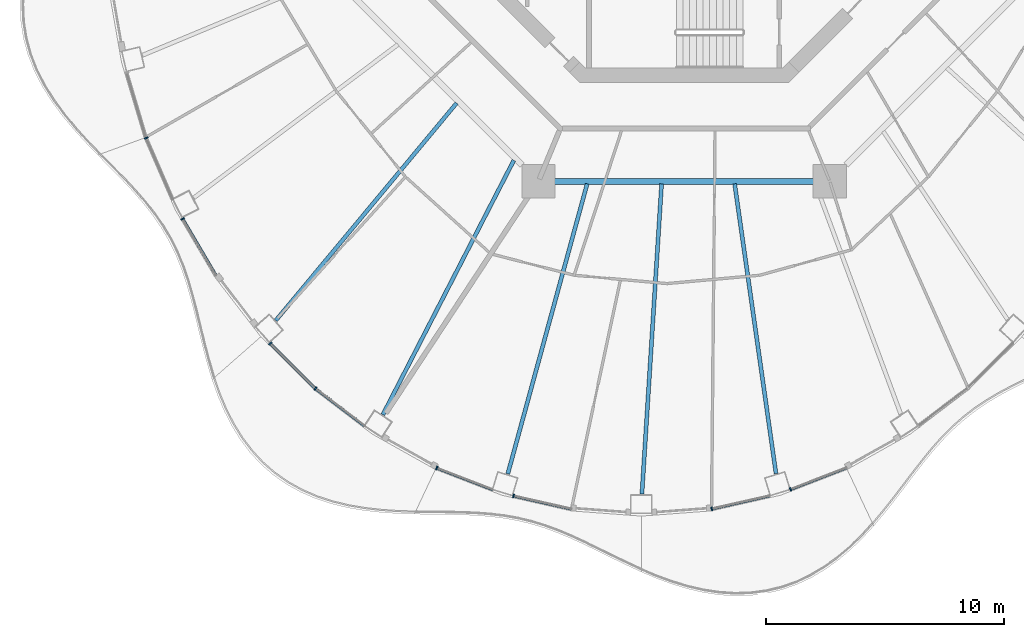
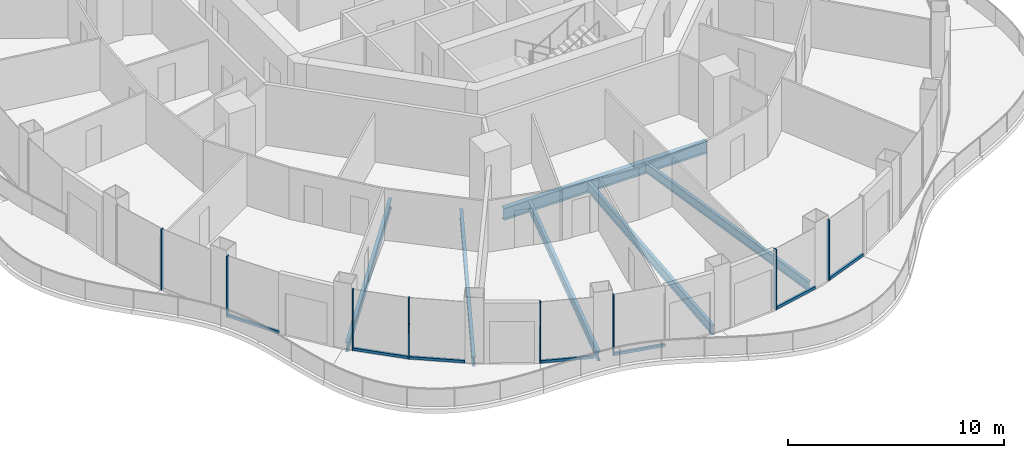
# One storey, part 2 of 17: 15 members, 6 beams, 8 elements without a shape of their own.
"""IFC4 building model written with IfcOpenShell, lengths in metres."""

from ifc_helpers import new_model, si_unit, direction, frame, origin, origin_2d, place, context, subcontext, project, spatial, rectangle, i_section, extrude, material, layer, layer_set, material_profile, profile_set, type_object, element, aggregate, save


model = new_model("IFC4")

# Units and contexts
model_context = context("Model", 3, precision=1e-05, world=origin(), true_north=direction((0.0, 1.0)))
body_context = subcontext(model_context, "Body", "Model", "MODEL_VIEW")
ifc_project = project(units=[si_unit("LENGTHUNIT", "METRE"), si_unit("AREAUNIT", "SQUARE_METRE"), si_unit("VOLUMEUNIT", "CUBIC_METRE"), si_unit("PLANEANGLEUNIT", "RADIAN"), si_unit("MASSUNIT", "GRAM", prefix="KILO")], contexts=[model_context])

# Site, building, storey
site_placement = place(None, origin())
site = spatial("IfcSite", under=ifc_project, at=site_placement, CompositionType="ELEMENT")
building_placement = place(site_placement, origin())
building = spatial("IfcBuilding", under=site, at=building_placement, Name="Nagisa Residences", CompositionType="ELEMENT")
storey_placement = place(building_placement, frame((0.0, 0.0, 258.5)))
storey = spatial("IfcBuildingStorey", under=building, at=storey_placement, Name="L65", CompositionType="ELEMENT", Elevation=258.5)

# Curtain wall, member
ifc_material_1 = material(Name="Concrete-coloured aluminium curtain wall system", Category="concrete")
ifc_layer = layer(ifc_material_1, 0.159912109375)
ifc_layer_set = layer_set([ifc_layer], Name="CW1 CURTAIN WALL")
curtain_wall_type = type_object("IfcCurtainWallType", Name="CW1 CURTAIN WALL", PredefinedType="NOTDEFINED", material=ifc_layer_set)
curtain_wall_1_placement = place(storey_placement, origin())
curtain_wall_1 = element("IfcCurtainWall", 1, at=curtain_wall_1_placement, inside=storey, type_object=curtain_wall_type, Name="cw:CW1:L65:27", PredefinedType="NOTDEFINED")
ifc_material_2 = material(Name="Concrete-coloured aluminium", Category="concrete")
ifc_material_profile_1 = material_profile(ifc_material_2, rectangle(XDim=0.159912109375, YDim=0.06005859375, at=origin_2d()), Name="CW1 MULLION 160x60")
ifc_profile_set_1 = profile_set([ifc_material_profile_1], Name="Concrete-coloured aluminium")
member_type_1 = type_object("IfcMemberType", Name="CW1 MULLION 160x60", PredefinedType="MULLION", material=ifc_profile_set_1)
member_1_placement = place(storey_placement, frame((-22.61279296875, -12.963623046875, 0.0), z_axis=(0.0, 0.0, 1.0), x_axis=(0.917543276295, 0.397635934147, 0.0)))
member_1 = element("IfcMember", 2, at=member_1_placement, type_object=member_type_1, Name="CW1 mullion", PredefinedType="MULLION", context=body_context, shape_type="SweptSolid", body=[
    extrude(rectangle(XDim=0.159912109375, YDim=0.06005859375, at=origin_2d()), origin(), (0.0, 0.0, 1.0), 3.43994140625),
])
aggregate(curtain_wall_1, [member_1])

curtain_wall_2_placement = place(storey_placement, origin())
curtain_wall_2 = element("IfcCurtainWall", 3, at=curtain_wall_2_placement, inside=storey, type_object=curtain_wall_type, Name="cw:CW1:L65:28", PredefinedType="NOTDEFINED")
member_2_placement = place(storey_placement, frame((-21.077392578125, -16.361083984375, 0.0), z_axis=(0.0, 0.0, 1.0), x_axis=(0.862328898214, 0.506348567002, 0.0)))
member_2 = element("IfcMember", 4, at=member_2_placement, type_object=member_type_1, Name="CW1 mullion", PredefinedType="MULLION", context=body_context, shape_type="SweptSolid", body=[
    extrude(rectangle(XDim=0.159912109375, YDim=0.06005859375, at=origin_2d()), origin(), (0.0, 0.0, 1.0), 3.43994140625),
])

curtain_wall_3_placement = place(storey_placement, origin())
curtain_wall_3 = element("IfcCurtainWall", 5, at=curtain_wall_3_placement, inside=storey, type_object=curtain_wall_type, Name="cw:CW1:L65:30", PredefinedType="NOTDEFINED")
member_3_placement = place(storey_placement, frame((-17.3984375, -21.60107421875, 0.0), z_axis=(0.0, 0.0, 1.0), x_axis=(0.706376885714, 0.707835924016, 0.0)))
member_3 = element("IfcMember", 6, at=member_3_placement, type_object=member_type_1, Name="CW1 mullion", PredefinedType="MULLION", context=body_context, shape_type="SweptSolid", body=[
    extrude(rectangle(XDim=0.159912109375, YDim=0.06005859375, at=origin_2d()), origin(), (0.0, 0.0, 1.0), 3.43994140625),
])

curtain_wall_4_placement = place(storey_placement, origin())
curtain_wall_4 = element("IfcCurtainWall", 7, at=curtain_wall_4_placement, inside=storey, type_object=curtain_wall_type, Name="cw:CW1:L65:31", PredefinedType="NOTDEFINED")
member_4_placement = place(storey_placement, frame((-15.497802734375, -23.4931640625, 0.0), z_axis=(0.0, 0.0, 1.0), x_axis=(0.605255421737, 0.79603132756, 0.0)))
member_4 = element("IfcMember", 8, at=member_4_placement, type_object=member_type_1, Name="CW1 mullion", PredefinedType="MULLION", context=body_context, shape_type="SweptSolid", body=[
    extrude(rectangle(XDim=0.159912109375, YDim=0.06005859375, at=origin_2d()), origin(), (0.0, 0.0, 1.0), 3.43994140625),
])

curtain_wall_5_placement = place(storey_placement, origin())
curtain_wall_5 = element("IfcCurtainWall", 9, at=curtain_wall_5_placement, inside=storey, type_object=curtain_wall_type, Name="cw:CW1:L65:33", PredefinedType="NOTDEFINED")
member_5_placement = place(storey_placement, frame((-10.3994140625, -26.83447265625, 0.0), z_axis=(0.0, 0.0, 1.0), x_axis=(0.360327770268, 0.932825759707, 0.0)))
member_5 = element("IfcMember", 10, at=member_5_placement, type_object=member_type_1, Name="CW1 mullion", PredefinedType="MULLION", context=body_context, shape_type="SweptSolid", body=[
    extrude(rectangle(XDim=0.159912109375, YDim=0.06005859375, at=origin_2d()), origin(), (0.0, 0.0, 1.0), 3.43994140625),
])

curtain_wall_6_placement = place(storey_placement, origin())
curtain_wall_6 = element("IfcCurtainWall", 11, at=curtain_wall_6_placement, inside=storey, type_object=curtain_wall_type, Name="cw:CW1:L65:34", PredefinedType="NOTDEFINED")
member_6_placement = place(storey_placement, frame((-7.168701171875, -28.008544921875, 0.0), z_axis=(0.0, 0.0, 1.0), x_axis=(0.2207639201, 0.975327274089, 0.0)))
member_6 = element("IfcMember", 12, at=member_6_placement, type_object=member_type_1, Name="CW1 mullion", PredefinedType="MULLION", context=body_context, shape_type="SweptSolid", body=[
    extrude(rectangle(XDim=0.159912109375, YDim=0.06005859375, at=origin_2d()), origin(), (0.0, 0.0, 1.0), 3.43994140625),
])

curtain_wall_7_placement = place(storey_placement, origin())
curtain_wall_7 = element("IfcCurtainWall", 13, at=curtain_wall_7_placement, inside=storey, type_object=curtain_wall_type, Name="cw:CW1:L65:37", PredefinedType="NOTDEFINED")
member_7_placement = place(storey_placement, frame((1.1640625, -28.552734375, 0.0), z_axis=(0.0, 0.0, 1.0), x_axis=(-0.2207639201, 0.975327274089, 0.0)))
member_7 = element("IfcMember", 14, at=member_7_placement, type_object=member_type_1, Name="CW1 mullion", PredefinedType="MULLION", context=body_context, shape_type="SweptSolid", body=[
    extrude(rectangle(XDim=0.159912109375, YDim=0.06005859375, at=origin_2d()), origin(), (0.0, 0.0, 1.0), 3.43994140625),
])

curtain_wall_8_placement = place(storey_placement, origin())
curtain_wall_8 = element("IfcCurtainWall", 15, at=curtain_wall_8_placement, inside=storey, type_object=curtain_wall_type, Name="cw:CW1:L65:38", PredefinedType="NOTDEFINED")
member_8_placement = place(storey_placement, frame((4.473388671875, -27.733154296875, 0.0), z_axis=(0.0, 0.0, 1.0), x_axis=(-0.360327770268, 0.932825759707, 0.0)))
member_8 = element("IfcMember", 16, at=member_8_placement, type_object=member_type_1, Name="CW1 mullion", PredefinedType="MULLION", context=body_context, shape_type="SweptSolid", body=[
    extrude(rectangle(XDim=0.159912109375, YDim=0.06005859375, at=origin_2d()), origin(), (0.0, 0.0, 1.0), 3.43994140625),
])

# Member
ifc_material_3 = material(Name="Concrete-coloured aluminium", Category="concrete")
ifc_material_profile_2 = material_profile(ifc_material_3, rectangle(XDim=0.1201171875, YDim=0.14990234375, at=origin_2d()), Name="CW1 TRANSOM 120x150")
ifc_profile_set_2 = profile_set([ifc_material_profile_2], Name="Concrete-coloured aluminium")
member_type_2 = type_object("IfcMemberType", Name="CW1 TRANSOM 120x150", PredefinedType="USERDEFINED", material=ifc_profile_set_2)
member_9_placement = place(storey_placement, frame((-21.0927734375, -16.335205078125, 0.074951171875), z_axis=(0.506371364425, -0.862315511452, 0.0), x_axis=(0.862315511452, 0.506371364425, 0.0)))
member_9 = element("IfcMember", 17, at=member_9_placement, type_object=member_type_2, Name="CW1 transom", ObjectType="TRANSOM", PredefinedType="USERDEFINED", context=body_context, shape_type="SweptSolid", body=[
    extrude(rectangle(XDim=0.1201171875, YDim=0.14990234375, at=origin_2d()), origin(), (0.0, 0.0, 1.0), 2.79638671875),
])

aggregate(curtain_wall_2, [member_2, member_9])

member_10_placement = place(storey_placement, frame((-17.419677734375, -21.579833984375, 0.074951171875), z_axis=(0.707831739508, -0.706381078841, 0.0), x_axis=(0.706381078841, 0.707831739508, 0.0)))
member_10 = element("IfcMember", 18, at=member_10_placement, type_object=member_type_2, Name="CW1 transom", ObjectType="TRANSOM", PredefinedType="USERDEFINED", context=body_context, shape_type="SweptSolid", body=[
    extrude(rectangle(XDim=0.1201171875, YDim=0.14990234375, at=origin_2d()), origin(), (0.0, 0.0, 1.0), 2.692626953125),
])

aggregate(curtain_wall_3, [member_3, member_10])

member_11_placement = place(storey_placement, frame((-15.521728515625, -23.474853515625, 0.074951171875), z_axis=(0.796010739377, -0.605282498339, 0.0), x_axis=(0.605282498339, 0.796010739377, 0.0)))
member_11 = element("IfcMember", 19, at=member_11_placement, type_object=member_type_2, Name="CW1 transom", ObjectType="TRANSOM", PredefinedType="USERDEFINED", context=body_context, shape_type="SweptSolid", body=[
    extrude(rectangle(XDim=0.1201171875, YDim=0.14990234375, at=origin_2d()), origin(), (0.0, 0.0, 1.0), 2.640625),
])

aggregate(curtain_wall_4, [member_4, member_11])

member_12_placement = place(storey_placement, frame((-10.427490234375, -26.82373046875, 0.074951171875), z_axis=(0.93282223778, -0.360336887792, 0.0), x_axis=(0.360336887792, 0.93282223778, 0.0)))
member_12 = element("IfcMember", 20, at=member_12_placement, type_object=member_type_2, Name="CW1 transom", ObjectType="TRANSOM", PredefinedType="USERDEFINED", context=body_context, shape_type="SweptSolid", body=[
    extrude(rectangle(XDim=0.1201171875, YDim=0.14990234375, at=origin_2d()), origin(), (0.0, 0.0, 1.0), 2.5537109375),
])

aggregate(curtain_wall_5, [member_5, member_12])

member_13_placement = place(storey_placement, frame((-7.197998046875, -28.001953125, 0.074951171875), z_axis=(0.975319584032, -0.220797891756, 0.0), x_axis=(0.220797891756, 0.975319584032, 0.0)))
member_13 = element("IfcMember", 21, at=member_13_placement, type_object=member_type_2, Name="CW1 transom", ObjectType="TRANSOM", PredefinedType="USERDEFINED", context=body_context, shape_type="SweptSolid", body=[
    extrude(rectangle(XDim=0.1201171875, YDim=0.14990234375, at=origin_2d()), origin(), (0.0, 0.0, 1.0), 2.525390625),
])

aggregate(curtain_wall_6, [member_6, member_13])

member_14_placement = place(storey_placement, frame((1.134765625, -28.5595703125, 0.074951171875), z_axis=(0.975319584032, 0.220797891756, 0.0), x_axis=(-0.220797891756, 0.975319584032, 0.0)))
member_14 = element("IfcMember", 22, at=member_14_placement, type_object=member_type_2, Name="CW1 transom", ObjectType="TRANSOM", PredefinedType="USERDEFINED", context=body_context, shape_type="SweptSolid", body=[
    extrude(rectangle(XDim=0.1201171875, YDim=0.14990234375, at=origin_2d()), origin(), (0.0, 0.0, 1.0), 2.525390625),
])

aggregate(curtain_wall_7, [member_7, member_14])

member_15_placement = place(storey_placement, frame((4.4453125, -27.743896484375, 0.074951171875), z_axis=(0.93282223778, 0.360336887792, 0.0), x_axis=(-0.360336887792, 0.93282223778, 0.0)))
member_15 = element("IfcMember", 23, at=member_15_placement, type_object=member_type_2, Name="CW1 transom", ObjectType="TRANSOM", PredefinedType="USERDEFINED", context=body_context, shape_type="SweptSolid", body=[
    extrude(rectangle(XDim=0.1201171875, YDim=0.14990234375, at=origin_2d()), origin(), (0.0, 0.0, 1.0), 2.5537109375),
])

aggregate(curtain_wall_8, [member_8, member_15])

# Beams
ifc_material_4 = material(Name="Steel ASTM A572 Gr 50", Category="steel")
ifc_material_profile_3 = material_profile(ifc_material_4, i_section(OverallWidth=0.2529296875, OverallDepth=0.677978515625, WebThickness=0.01171875, FlangeThickness=0.016357421875, at=origin_2d()), Name="W690x125")
ifc_profile_set_3 = profile_set([ifc_material_profile_3], Name="Steel ASTM A572 Gr 50")
beam_type_1 = type_object("IfcBeamType", Name="Inner ring beam W690x125", PredefinedType="BEAM", material=ifc_profile_set_3)
beam_1_placement = place(storey_placement, frame((-5.44287109375, -14.781982421875, -0.59912109375), z_axis=(1.0, 0.0, 0.0), x_axis=(0.0, 1.0, 0.0)))
element("IfcBeam", 24, at=beam_1_placement, inside=storey, type_object=beam_type_1, Name="beam:L65:ib6", PredefinedType="BEAM", context=body_context, shape_type="SweptSolid", body=[
    extrude(i_section(OverallWidth=0.2529296875, OverallDepth=0.677978515625, WebThickness=0.01171875, FlangeThickness=0.016357421875, at=origin_2d()), origin(), (0.0, 0.0, 1.0), 10.8857421875),
])
ifc_material_5 = material(Name="Steel ASTM A572 Gr 50", Category="steel")
ifc_material_profile_4 = material_profile(ifc_material_5, i_section(OverallWidth=0.166015625, OverallDepth=0.534912109375, WebThickness=0.01025390625, FlangeThickness=0.0166015625, at=origin_2d()), Name="W530x85")
ifc_profile_set_4 = profile_set([ifc_material_profile_4], Name="Steel ASTM A572 Gr 50")
beam_type_2 = type_object("IfcBeamType", Name="Radial beam W530x85", PredefinedType="BEAM", material=ifc_profile_set_4)
beam_2_placement = place(storey_placement, frame((-17.16259765625, -20.63037109375, -0.527587890625), z_axis=(0.639531520851, 0.768764875523, 0.0), x_axis=(-0.768764875523, 0.639531520851, 0.0)))
element("IfcBeam", 25, at=beam_2_placement, inside=storey, type_object=beam_type_2, Name="beam:L65:rb16", PredefinedType="BEAM", context=body_context, shape_type="SweptSolid", body=[
    extrude(i_section(OverallWidth=0.166015625, OverallDepth=0.534912109375, WebThickness=0.01025390625, FlangeThickness=0.0166015625, at=origin_2d()), origin(), (0.0, 0.0, 1.0), 11.884521484375),
])
beam_3_placement = place(storey_placement, frame((-12.662109375, -24.591552734375, -0.527587890625), z_axis=(0.457779612387, 0.889065704255, 0.0), x_axis=(-0.889065704255, 0.457779612387, 0.0)))
element("IfcBeam", 26, at=beam_3_placement, inside=storey, type_object=beam_type_2, Name="beam:L65:rb17", PredefinedType="BEAM", context=body_context, shape_type="SweptSolid", body=[
    extrude(i_section(OverallWidth=0.166015625, OverallDepth=0.534912109375, WebThickness=0.01025390625, FlangeThickness=0.0166015625, at=origin_2d()), origin(), (0.0, 0.0, 1.0), 12.025634765625),
])
beam_4_placement = place(storey_placement, frame((-7.41162109375, -27.082763671875, -0.527587890625), z_axis=(0.263955593207, 0.964534833386, 0.0), x_axis=(-0.964534833386, 0.263955593207, 0.0)))
element("IfcBeam", 27, at=beam_4_placement, inside=storey, type_object=beam_type_2, Name="beam:L65:rb18", PredefinedType="BEAM", context=body_context, shape_type="SweptSolid", body=[
    extrude(i_section(OverallWidth=0.166015625, OverallDepth=0.534912109375, WebThickness=0.01025390625, FlangeThickness=0.0166015625, at=origin_2d()), origin(), (0.0, 0.0, 1.0), 12.641845703125),
])
beam_5_placement = place(storey_placement, frame((-1.772705078125, -27.927734375, -0.527587890625), z_axis=(0.063346157431, 0.997991615365, 0.0), x_axis=(-0.997991615365, 0.063346157431, 0.0)))
element("IfcBeam", 28, at=beam_5_placement, inside=storey, type_object=beam_type_2, Name="beam:L65:rb19", PredefinedType="BEAM", context=body_context, shape_type="SweptSolid", body=[
    extrude(i_section(OverallWidth=0.166015625, OverallDepth=0.534912109375, WebThickness=0.01025390625, FlangeThickness=0.0166015625, at=origin_2d()), origin(), (0.0, 0.0, 1.0), 13.065185546875),
])
beam_6_placement = place(storey_placement, frame((3.863525390625, -27.066650390625, -0.527587890625), z_axis=(-0.141307436104, 0.989965761278, 0.0), x_axis=(-0.989965761278, -0.141307436104, 0.0)))
element("IfcBeam", 29, at=beam_6_placement, inside=storey, type_object=beam_type_2, Name="beam:L65:rb20", PredefinedType="BEAM", context=body_context, shape_type="SweptSolid", body=[
    extrude(i_section(OverallWidth=0.166015625, OverallDepth=0.534912109375, WebThickness=0.01025390625, FlangeThickness=0.0166015625, at=origin_2d()), origin(), (0.0, 0.0, 1.0), 12.301513671875),
])

save(model, "model.ifc")
